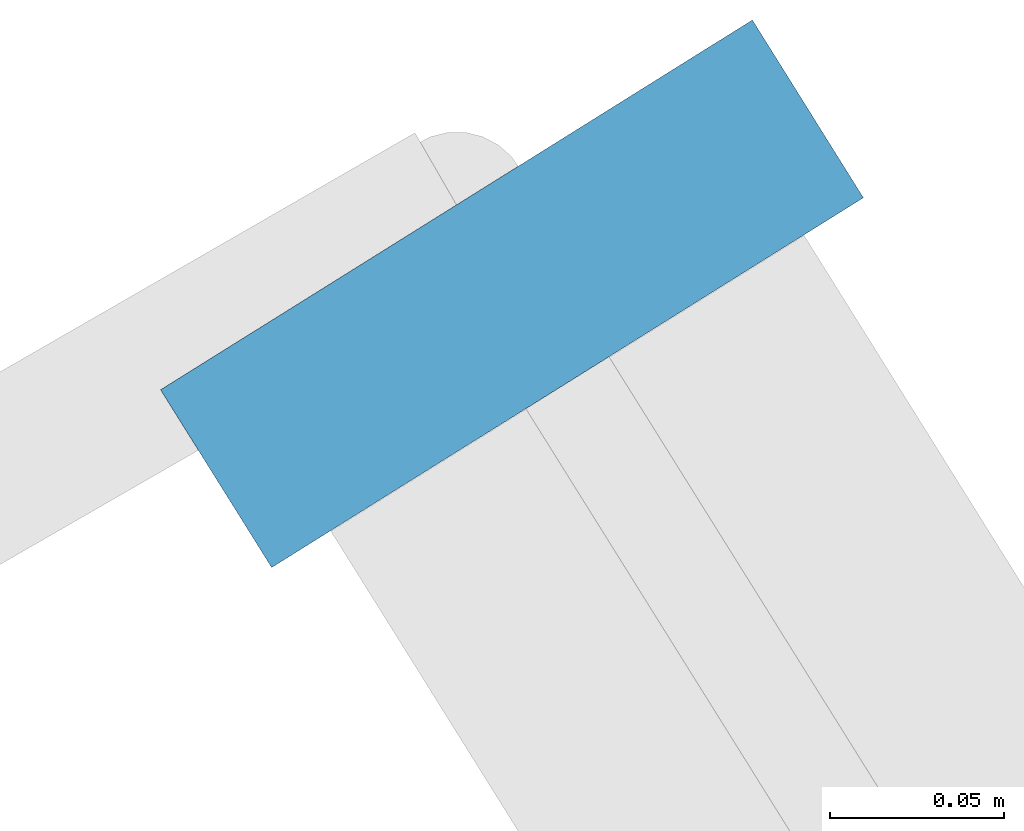
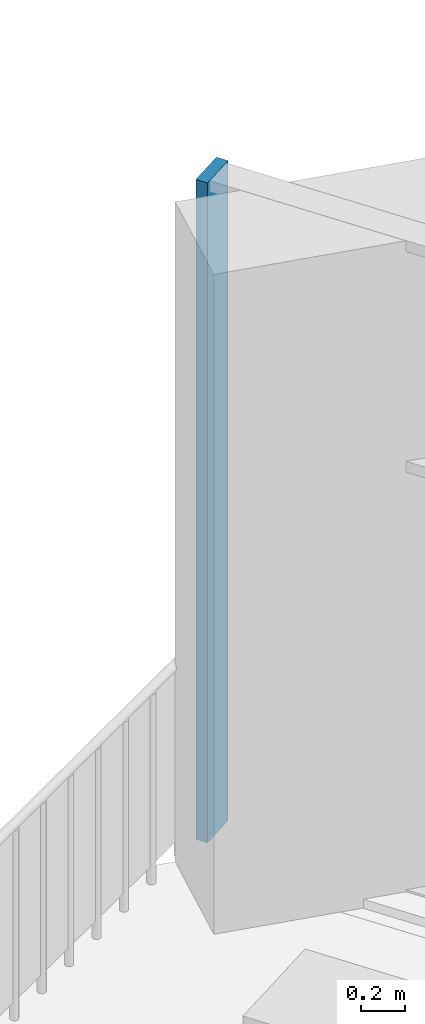
# One storey, part 4 of 14: 1 member, 1 element without a shape of its own.
"""IFC4 building model written with IfcOpenShell, lengths in metres."""

from ifc_helpers import new_model, si_unit, direction, frame, origin, origin_2d, place, context, subcontext, project, spatial, rectangle, extrude, material, material_profile, profile_set, type_object, element, aggregate, save


model = new_model("IFC4")

# Units and contexts
model_context = context("Model", 3, precision=1e-05, world=origin(), true_north=direction((0.0, 1.0)))
body_context = subcontext(model_context, "Body", "Model", "MODEL_VIEW")
ifc_project = project(units=[si_unit("LENGTHUNIT", "METRE"), si_unit("AREAUNIT", "SQUARE_METRE"), si_unit("VOLUMEUNIT", "CUBIC_METRE"), si_unit("PLANEANGLEUNIT", "RADIAN"), si_unit("MASSUNIT", "GRAM", prefix="KILO")], contexts=[model_context])

# Site, building, storey
site_placement = place(None, origin())
site = spatial("IfcSite", under=ifc_project, at=site_placement, CompositionType="ELEMENT")
building_placement = place(site_placement, origin())
building = spatial("IfcBuilding", under=site, at=building_placement, Name="Dilmun Exchange Tower", CompositionType="ELEMENT")
storey_placement = place(building_placement, frame((0.0, 0.0, 336.5)))
storey = spatial("IfcBuildingStorey", under=building, at=storey_placement, Name="L80", CompositionType="ELEMENT", Elevation=336.5)

# Curtain wall, member
ifc_material_1 = material(Name="Anodised aluminium and clear glass", Category="aluminium")
curtain_wall_type = type_object("IfcCurtainWallType", Name="Garden corner glazing", PredefinedType="NOTDEFINED", material=ifc_material_1)
curtain_wall_placement = place(storey_placement, origin())
curtain_wall = element("IfcCurtainWall", 1, at=curtain_wall_placement, inside=storey, type_object=curtain_wall_type, Name="Garden corner glazing run GC1.1", PredefinedType="NOTDEFINED")
ifc_material_2 = material(Name="Anodised aluminium", Category="aluminium")
ifc_material_profile = material_profile(ifc_material_2, rectangle(XDim=0.199951171875, YDim=0.06005859375, at=origin_2d()), Name="AL 60x200")
ifc_profile_set = profile_set([ifc_material_profile], Name="Anodised aluminium")
member_type = type_object("IfcMemberType", Name="Garden corner glazing mullion 60 x 200", PredefinedType="MULLION", material=ifc_profile_set)
member_placement = place(storey_placement, frame((-13.93017578125, 34.201171875, 0.0), z_axis=(0.0, 0.0, 1.0), x_axis=(0.8480495651, 0.529916913426, 0.0)))
member = element("IfcMember", 2, at=member_placement, type_object=member_type, Name="GC1.1 mullion 1", PredefinedType="MULLION", context=body_context, shape_type="SweptSolid", body=[
    extrude(rectangle(XDim=0.199951171875, YDim=0.06005859375, at=origin_2d()), origin(), (0.0, 0.0, 1.0), 3.64990234375),
])
aggregate(curtain_wall, [member])

save(model, "model.ifc")
